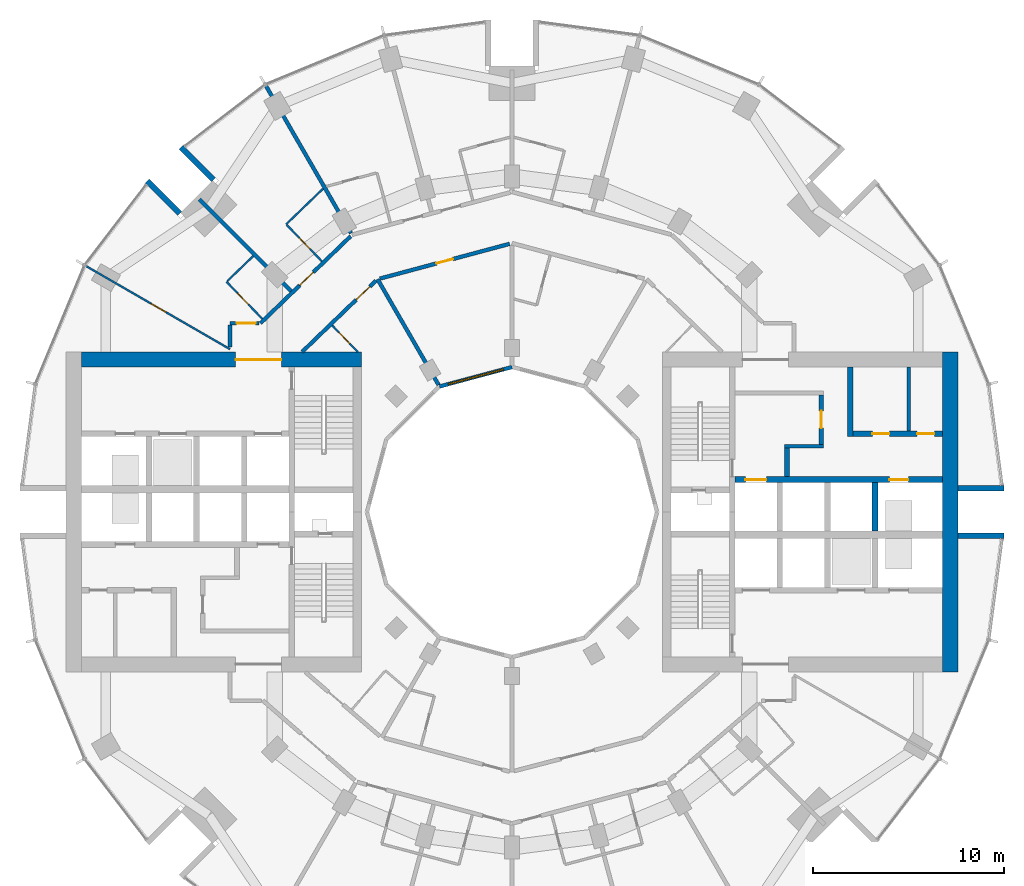
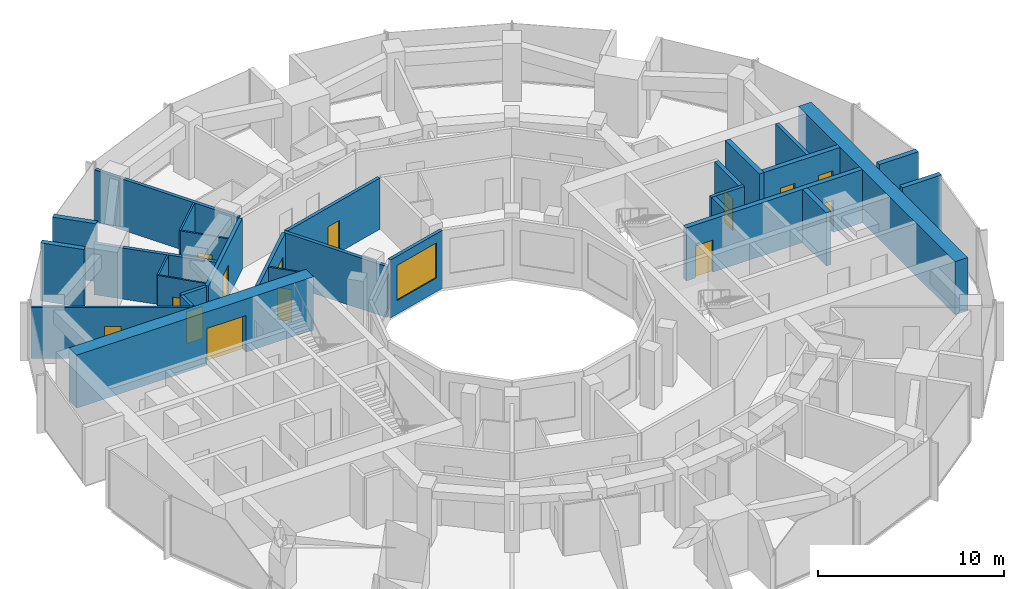
# One storey, part 11 of 15: 29 walls, 14 doors, 1 window, 15 openings.
"""IFC4 building model written with IfcOpenShell, lengths in metres."""

from ifc_helpers import new_model, si_unit, direction, frame, frame_2d, origin, place, context, subcontext, project, spatial, rectangle, extrude, material, layer, layer_set, type_object, element, fill, save


model = new_model("IFC4")

# Units and contexts
model_context = context("Model", 3, precision=1e-05, world=origin(), true_north=direction((0.0, 1.0)))
body_context = subcontext(model_context, "Body", "Model", "MODEL_VIEW")
ifc_project = project(units=[si_unit("LENGTHUNIT", "METRE"), si_unit("AREAUNIT", "SQUARE_METRE"), si_unit("VOLUMEUNIT", "CUBIC_METRE"), si_unit("PLANEANGLEUNIT", "RADIAN"), si_unit("MASSUNIT", "GRAM", prefix="KILO")], contexts=[model_context])

# Site, building, storey
site_placement = place(None, origin())
site = spatial("IfcSite", under=ifc_project, at=site_placement, CompositionType="ELEMENT")
building_placement = place(site_placement, origin())
building = spatial("IfcBuilding", under=site, at=building_placement, Name="Torre Brocal", CompositionType="ELEMENT")
storey_placement = place(building_placement, frame((0.0, 0.0, 63.0)))
storey = spatial("IfcBuildingStorey", under=building, at=storey_placement, Name="L14", CompositionType="ELEMENT", Elevation=63.0)

# Walls
ifc_material_1 = material(Name="Masonry block", Category="masonry")
ifc_layer_1 = layer(ifc_material_1, 0.199951171875)
ifc_layer_set_1 = layer_set([ifc_layer_1], Name="Masonry block")
wall_type_1 = type_object("IfcWallType", Name="CORE PARTITION 200", PredefinedType="PARTITIONING", material=ifc_layer_set_1)
wall_1_placement = place(storey_placement, frame((100.81396484375, 79.25, 0.0), z_axis=(0.0, 0.0, 1.0), x_axis=(0.0, 1.0, 0.0)))
element("IfcWall", 1, at=wall_1_placement, inside=storey, type_object=wall_type_1, Name="Wall CP200", PredefinedType="PARTITIONING", context=body_context, shape_type="SweptSolid", body=[
    extrude(rectangle(XDim=3.35009765625, YDim=0.199951171875, at=frame_2d((1.675048828125, 0.0))), origin(), (0.0, 0.0, 1.0), 3.47998046875),
])
ifc_material_2 = material(Name="Concrete C80", Category="concrete")
ifc_layer_2 = layer(ifc_material_2, 0.199951171875)
ifc_layer_set_2 = layer_set([ifc_layer_2], Name="Concrete C80")
wall_type_2 = type_object("IfcWallType", Name="CORE WALL 200 C80", PredefinedType="SHEAR", material=ifc_layer_set_2)
wall_2_placement = place(storey_placement, frame((94.300048828125, 78.449951171875, 0.0), z_axis=(0.0, 0.0, 1.0), x_axis=(1.0, 0.0, 0.0)))
element("IfcWall", 2, at=wall_2_placement, inside=storey, type_object=wall_type_2, Name="Wall CW200-80", PredefinedType="SHEAR", context=body_context, shape_type="SweptSolid", body=[
    extrude(rectangle(XDim=2.050048828125, YDim=0.199951171875, at=frame_2d((1.02490234375, 0.0))), origin(), (0.0, 0.0, 1.0), 3.47998046875),
])

# Wall, opening, door
ifc_material_3 = material(Name="Concrete C80", Category="concrete")
ifc_layer_3 = layer(ifc_material_3, 0.25)
ifc_layer_set_3 = layer_set([ifc_layer_3], Name="Concrete C80")
wall_type_3 = type_object("IfcWallType", Name="CORE WALL 250 C80", PredefinedType="SHEAR", material=ifc_layer_set_3)
wall_3_placement = place(storey_placement, frame((96.22509765625, 78.550048828125, 0.0), z_axis=(0.0, 0.0, 1.0), x_axis=(0.0, 1.0, 0.0)))
wall_3 = element("IfcWall", 3, at=wall_3_placement, inside=storey, type_object=wall_type_3, Name="Wall CW250-80", PredefinedType="SHEAR", context=body_context, shape_type="SweptSolid", body=[
    extrude(rectangle(XDim=2.599853515625, YDim=0.25, at=frame_2d((1.2998046875, 0.0))), origin(), (0.0, 0.0, 1.0), 3.47998046875),
])
opening_1_placement = place(wall_3_placement, frame((0.85009765625, 0.0, 0.0)))
opening_1 = element("IfcOpeningElement", 4, at=opening_1_placement, cuts=wall_3, Name="Opening E-D15", PredefinedType="OPENING", context=body_context, shape_type="SweptSolid", body=[
    extrude(rectangle(XDim=0.89990234375, YDim=2.10009765625, at=frame_2d((0.449951171875, 1.050048828125))), frame((0.0, 0.135009765625, 0.0), z_axis=(0.0, -1.0, 0.0), x_axis=(1.0, 0.0, 0.0)), (0.0, 0.0, 1.0), 0.27001953125),
])
ifc_material_4 = material(Name="Steel A653", Category="steel")
door_type_1 = type_object("IfcDoorType", Name="LOBBY DOOR FD120 900X2100", OperationType="SINGLE_SWING_RIGHT", PredefinedType="DOOR", material=ifc_material_4)
door_1_placement = place(opening_1_placement, origin())
door_1 = element("IfcDoor", 5, at=door_1_placement, inside=storey, type_object=door_type_1, Name="Door E-D15", OperationType="SINGLE_SWING_LEFT", OverallHeight=2.10009765625, OverallWidth=0.89990234375, PredefinedType="DOOR", context=body_context, shape_type="SweptSolid", body=[
    extrude(rectangle(XDim=0.89990234375, YDim=2.10009765625, at=frame_2d((0.449951171875, 1.050048828125))), frame((0.0, 0.02490234375, 0.0), z_axis=(0.0, -1.0, 0.0), x_axis=(1.0, 0.0, 0.0)), (0.0, 0.0, 1.0), 0.050048828125),
])
fill(opening_1, door_1)

# Wall
wall_4_placement = place(storey_placement, frame((94.425048828125, 76.85009765625, 0.0), z_axis=(0.0, 0.0, 1.0), x_axis=(0.0, 1.0, 0.0)))
element("IfcWall", 6, at=wall_4_placement, inside=storey, type_object=wall_type_3, Name="Wall CW250-80", PredefinedType="SHEAR", context=body_context, shape_type="SweptSolid", body=[
    extrude(rectangle(XDim=1.5, YDim=0.25, at=frame_2d((0.75, 0.0))), origin(), (0.0, 0.0, 1.0), 3.47998046875),
])

# Wall, openings, doors
ifc_material_5 = material(Name="Concrete C80", Category="concrete")
ifc_layer_4 = layer(ifc_material_5, 0.300048828125)
ifc_layer_set_4 = layer_set([ifc_layer_4], Name="Concrete C80")
wall_type_4 = type_object("IfcWallType", Name="CORE WALL 300 C80", PredefinedType="SHEAR", material=ifc_layer_set_4)
wall_5_placement = place(storey_placement, frame((91.699951171875, 76.699951171875, 0.0), z_axis=(0.0, 0.0, 1.0), x_axis=(1.0, 0.0, 0.0)))
wall_5 = element("IfcWall", 7, at=wall_5_placement, inside=storey, type_object=wall_type_4, Name="Wall CW300-80", PredefinedType="SHEAR", context=body_context, shape_type="SweptSolid", body=[
    extrude(rectangle(XDim=10.900146484375, YDim=0.300048828125, at=frame_2d((5.4501953125, 0.0))), origin(), (0.0, 0.0, 1.0), 3.47998046875),
])
opening_2_placement = place(wall_5_placement, frame((0.550048828125, 0.0, 0.0)))
opening_2 = element("IfcOpeningElement", 8, at=opening_2_placement, cuts=wall_5, Name="Opening LD", PredefinedType="OPENING", context=body_context, shape_type="SweptSolid", body=[
    extrude(rectangle(XDim=1.10009765625, YDim=2.10009765625, at=frame_2d((0.550048828125, 1.050048828125))), frame((0.0, 0.159912109375, 0.0), z_axis=(0.0, -1.0, 0.0), x_axis=(1.0, 0.0, 0.0)), (0.0, 0.0, 1.0), 0.320068359375),
])
opening_3_placement = place(wall_5_placement, frame((8.10009765625, 0.0, 0.0)))
opening_3 = element("IfcOpeningElement", 9, at=opening_3_placement, cuts=wall_5, Name="Opening LD10", PredefinedType="OPENING", context=body_context, shape_type="SweptSolid", body=[
    extrude(rectangle(XDim=1.0, YDim=2.10009765625, at=frame_2d((0.5, 1.050048828125))), frame((0.0, 0.159912109375, 0.0), z_axis=(0.0, -1.0, 0.0), x_axis=(1.0, 0.0, 0.0)), (0.0, 0.0, 1.0), 0.320068359375),
])
ifc_material_6 = material(Name="Stainless steel AISI 316", Category="steel")
door_type_2 = type_object("IfcDoorType", Name="LIFT LANDING DOOR 1000X2100", OperationType="DOUBLE_DOOR_SLIDING", PredefinedType="DOOR", material=ifc_material_6)
door_2_placement = place(opening_3_placement, origin())
door_2 = element("IfcDoor", 10, at=door_2_placement, inside=storey, type_object=door_type_2, Name="Door LD10", OperationType="DOUBLE_DOOR_SLIDING", OverallHeight=2.10009765625, OverallWidth=1.0, PredefinedType="DOOR", context=body_context, shape_type="SweptSolid", body=[
    extrude(rectangle(XDim=1.0, YDim=2.10009765625, at=frame_2d((0.5, 1.050048828125))), frame((0.0, 0.02490234375, 0.0), z_axis=(0.0, -1.0, 0.0), x_axis=(1.0, 0.0, 0.0)), (0.0, 0.0, 1.0), 0.050048828125),
])
fill(opening_3, door_2)
ifc_material_7 = material(Name="Stainless steel AISI 316", Category="steel")
door_type_3 = type_object("IfcDoorType", Name="LIFT LANDING DOOR 1100X2100", OperationType="DOUBLE_DOOR_SLIDING", PredefinedType="DOOR", material=ifc_material_7)
door_3_placement = place(opening_2_placement, origin())
door_3 = element("IfcDoor", 11, at=door_3_placement, inside=storey, type_object=door_type_3, Name="Door LD", OperationType="DOUBLE_DOOR_SLIDING", OverallHeight=2.10009765625, OverallWidth=1.10009765625, PredefinedType="DOOR", context=body_context, shape_type="SweptSolid", body=[
    extrude(rectangle(XDim=1.10009765625, YDim=2.10009765625, at=frame_2d((0.550048828125, 1.050048828125))), frame((0.0, 0.02490234375, 0.0), z_axis=(0.0, -1.0, 0.0), x_axis=(1.0, 0.0, 0.0)), (0.0, 0.0, 1.0), 0.050048828125),
])
fill(opening_2, door_3)

# Walls
wall_6_placement = place(storey_placement, frame((99.050048828125, 74.0, 0.0), z_axis=(0.0, 0.0, 1.0), x_axis=(0.0, 1.0, 0.0)))
element("IfcWall", 12, at=wall_6_placement, inside=storey, type_object=wall_type_4, Name="Wall CW300-80", PredefinedType="SHEAR", context=body_context, shape_type="SweptSolid", body=[
    extrude(rectangle(XDim=2.550048828125, YDim=0.300048828125, at=frame_2d((1.27490234375, 0.0))), origin(), (0.0, 0.0, 1.0), 3.47998046875),
])
wall_7_placement = place(storey_placement, frame((97.75, 78.949951171875, 0.0), z_axis=(0.0, 0.0, 1.0), x_axis=(0.0, 1.0, 0.0)))
element("IfcWall", 13, at=wall_7_placement, inside=storey, type_object=wall_type_4, Name="Wall CW300-80", PredefinedType="SHEAR", context=body_context, shape_type="SweptSolid", body=[
    extrude(rectangle(XDim=3.650146484375, YDim=0.300048828125, at=frame_2d((1.8251953125, 0.0))), origin(), (0.0, 0.0, 1.0), 3.47998046875),
])

# Wall, openings, doors
wall_8_placement = place(storey_placement, frame((97.89990234375, 79.10009765625, 0.0), z_axis=(0.0, 0.0, 1.0), x_axis=(1.0, 0.0, 0.0)))
wall_8 = element("IfcWall", 14, at=wall_8_placement, inside=storey, type_object=wall_type_4, Name="Wall CW300-80", PredefinedType="SHEAR", context=body_context, shape_type="SweptSolid", body=[
    extrude(rectangle(XDim=4.7001953125, YDim=0.300048828125, at=frame_2d((2.35009765625, 0.0))), origin(), (0.0, 0.0, 1.0), 3.47998046875),
])
opening_4_placement = place(wall_8_placement, frame((1.007080078125, 0.0, 0.0)))
opening_4 = element("IfcOpeningElement", 15, at=opening_4_placement, cuts=wall_8, Name="Opening E-D05", PredefinedType="OPENING", context=body_context, shape_type="SweptSolid", body=[
    extrude(rectangle(XDim=0.89990234375, YDim=2.10009765625, at=frame_2d((0.449951171875, 1.050048828125))), frame((0.0, 0.159912109375, 0.0), z_axis=(0.0, -1.0, 0.0), x_axis=(1.0, 0.0, 0.0)), (0.0, 0.0, 1.0), 0.320068359375),
])
opening_5_placement = place(wall_8_placement, frame((3.35693359375, 0.0, 0.0)))
opening_5 = element("IfcOpeningElement", 16, at=opening_5_placement, cuts=wall_8, Name="Opening E-D06", PredefinedType="OPENING", context=body_context, shape_type="SweptSolid", body=[
    extrude(rectangle(XDim=0.89990234375, YDim=2.10009765625, at=frame_2d((0.449951171875, 1.050048828125))), frame((0.0, 0.159912109375, 0.0), z_axis=(0.0, -1.0, 0.0), x_axis=(1.0, 0.0, 0.0)), (0.0, 0.0, 1.0), 0.320068359375),
])
ifc_material_8 = material(Name="Steel A653", Category="steel")
door_type_4 = type_object("IfcDoorType", Name="ROOM DOOR FD30S 900X2100", OperationType="SINGLE_SWING_LEFT", PredefinedType="DOOR", material=ifc_material_8)
door_4_placement = place(opening_4_placement, origin())
door_4 = element("IfcDoor", 17, at=door_4_placement, inside=storey, type_object=door_type_4, Name="Door E-D05", OperationType="SINGLE_SWING_RIGHT", OverallHeight=2.10009765625, OverallWidth=0.89990234375, PredefinedType="DOOR", context=body_context, shape_type="SweptSolid", body=[
    extrude(rectangle(XDim=0.89990234375, YDim=2.10009765625, at=frame_2d((0.449951171875, 1.050048828125))), frame((0.0, 0.02490234375, 0.0), z_axis=(0.0, -1.0, 0.0), x_axis=(1.0, 0.0, 0.0)), (0.0, 0.0, 1.0), 0.050048828125),
])
fill(opening_4, door_4)
door_5_placement = place(opening_5_placement, origin())
door_5 = element("IfcDoor", 18, at=door_5_placement, inside=storey, type_object=door_type_4, Name="Door E-D06", OperationType="SINGLE_SWING_LEFT", OverallHeight=2.10009765625, OverallWidth=0.89990234375, PredefinedType="DOOR", context=body_context, shape_type="SweptSolid", body=[
    extrude(rectangle(XDim=0.89990234375, YDim=2.10009765625, at=frame_2d((0.449951171875, 1.050048828125))), frame((0.0, 0.02490234375, 0.0), z_axis=(0.0, -1.0, 0.0), x_axis=(1.0, 0.0, 0.0)), (0.0, 0.0, 1.0), 0.050048828125),
])
fill(opening_5, door_5)

# Wall
ifc_material_9 = material(Name="Concrete C80", Category="concrete")
ifc_layer_5 = layer(ifc_material_9, 0.800048828125)
ifc_layer_set_5 = layer_set([ifc_layer_5], Name="Concrete C80")
wall_type_5 = type_object("IfcWallType", Name="CORE WALL 800 C80", PredefinedType="SHEAR", material=ifc_layer_set_5)
wall_9_placement = place(storey_placement, frame((103.0, 66.60009765625, 0.0), z_axis=(0.0, 0.0, 1.0), x_axis=(0.0, 1.0, 0.0)))
element("IfcWall", 19, at=wall_9_placement, inside=storey, type_object=wall_type_5, Name="Wall CW800-80", PredefinedType="SHEAR", context=body_context, shape_type="SweptSolid", body=[
    extrude(rectangle(XDim=16.7998046875, YDim=0.800048828125, at=frame_2d((8.39990234375, 0.0))), origin(), (0.0, 0.0, 1.0), 3.47998046875),
])

# Wall, opening, door
wall_10_placement = place(storey_placement, frame((72.10009765625, 83.0, 0.0), z_axis=(0.0, 0.0, 1.0), x_axis=(-1.0, 0.0, 0.0)))
wall_10 = element("IfcWall", 20, at=wall_10_placement, inside=storey, type_object=wall_type_5, Name="Wall CW800-80", PredefinedType="SHEAR", context=body_context, shape_type="SweptSolid", body=[
    extrude(rectangle(XDim=14.7001953125, YDim=0.800048828125, at=frame_2d((7.35009765625, 0.0))), origin(), (0.0, 0.0, 1.0), 3.47998046875),
])
opening_6_placement = place(wall_10_placement, frame((4.199951171875, 0.0, 0.0)))
opening_6 = element("IfcOpeningElement", 21, at=opening_6_placement, cuts=wall_10, Name="Opening W-D27", PredefinedType="OPENING", context=body_context, shape_type="SweptSolid", body=[
    extrude(rectangle(XDim=2.39990234375, YDim=2.39990234375, at=frame_2d((1.199951171875, 1.199951171875))), frame((0.0, 0.409912109375, 0.0), z_axis=(0.0, -1.0, 0.0), x_axis=(1.0, 0.0, 0.0)), (0.0, 0.0, 1.0), 0.820068359375),
])
ifc_material_10 = material(Name="Steel A653", Category="steel")
door_type_5 = type_object("IfcDoorType", Name="DOUBLE FIRE DOOR FD90 2400X2400", OperationType="DOUBLE_DOOR_SINGLE_SWING", PredefinedType="DOOR", material=ifc_material_10)
door_6_placement = place(opening_6_placement, origin())
door_6 = element("IfcDoor", 22, at=door_6_placement, inside=storey, type_object=door_type_5, Name="Door W-D27", OperationType="DOUBLE_DOOR_SINGLE_SWING", OverallHeight=2.39990234375, OverallWidth=2.39990234375, PredefinedType="DOOR", context=body_context, shape_type="SweptSolid", body=[
    extrude(rectangle(XDim=2.39990234375, YDim=2.39990234375, at=frame_2d((1.199951171875, 1.199951171875))), frame((0.0, 0.02490234375, 0.0), z_axis=(0.0, -1.0, 0.0), x_axis=(1.0, 0.0, 0.0)), (0.0, 0.0, 1.0), 0.050048828125),
])
fill(opening_6, door_6)

# Walls
ifc_material_11 = material(Name="Concrete C80", Category="concrete")
ifc_layer_6 = layer(ifc_material_11, 0.300048828125)
ifc_layer_set_6 = layer_set([ifc_layer_6], Name="Concrete C80")
wall_type_6 = type_object("IfcWallType", Name="NOTCH RETURN WALL 300 C80", PredefinedType="NOTDEFINED", material=ifc_layer_set_6)
for number, where, z_axis, x_axis, name in (
    (23, (103.39990234375, 73.75, 0.0), (0.0, 0.0, 1.0), (1.0, 0.0, 0.0), "NOTCH RETURN WALL"),
    (24, (103.39990234375, 76.25, 0.0), (0.0, 0.0, 1.0), (1.0, 0.0, 0.0), "NOTCH RETURN WALL"),
    (25, (64.337646484375, 92.43017578125, 0.0), (0.0, 0.0, 1.0), (-0.707106781187, 0.707106781187, 0.0), "NOTCH RETURN WALL"),
    (26, (62.56982421875, 90.662353515625, 0.0), (0.0, 0.0, 1.0), (-0.707106781187, 0.707106781187, 0.0), "NOTCH RETURN WALL"),
):
    element("IfcWall", number, at=place(storey_placement, frame(where, z_axis=z_axis, x_axis=x_axis)), inside=storey, type_object=wall_type_6, Name=name, PredefinedType="NOTDEFINED", context=body_context, shape_type="SweptSolid", body=[
        extrude(rectangle(XDim=2.415771484375, YDim=0.300048828125, at=frame_2d((1.2080078125, 0.0))), origin(), (0.0, 0.0, 1.0), 3.800048828125),
    ])

# Wall, opening, door
ifc_material_12 = material(Name="Gypsum board", Category="Gypsum")
ifc_layer_7 = layer(ifc_material_12, 0.10009765625)
ifc_layer_set_7 = layer_set([ifc_layer_7], Name="Gypsum board")
wall_type_7 = type_object("IfcWallType", Name="PARTITION 100", PredefinedType="PARTITIONING", material=ifc_layer_set_7)
wall_11_placement = place(storey_placement, frame((57.65869140625, 87.89892578125, 0.0), z_axis=(0.0, 0.0, 1.0), x_axis=(0.86602264145, -0.500004784474, 0.0)))
wall_11 = element("IfcWall", 27, at=wall_11_placement, inside=storey, type_object=wall_type_7, Name="ROOM PARTITION", PredefinedType="PARTITIONING", context=body_context, shape_type="SweptSolid", body=[
    extrude(rectangle(XDim=8.7080078125, YDim=0.10009765625, at=frame_2d((4.35400390625, 0.0))), origin(), (0.0, 0.0, 1.0), 3.35009765625),
])
opening_7_placement = place(wall_11_placement, frame((3.928955078125, 0.0, 0.0)))
opening_7 = element("IfcOpeningElement", 28, at=opening_7_placement, cuts=wall_11, Name="Opening H04-D12", PredefinedType="OPENING", context=body_context, shape_type="SweptSolid", body=[
    extrude(rectangle(XDim=0.89990234375, YDim=2.10009765625, at=frame_2d((0.449951171875, 1.050048828125))), frame((0.0, 0.06005859375, 0.0), z_axis=(0.0, -1.0, 0.0), x_axis=(1.0, 0.0, 0.0)), (0.0, 0.0, 1.0), 0.1201171875),
])
ifc_material_13 = material(Name="Timber", Category="wood")
door_type_6 = type_object("IfcDoorType", Name="ROOM DOOR 900X2100", OperationType="SINGLE_SWING_LEFT", PredefinedType="DOOR", material=ifc_material_13)
door_7_placement = place(opening_7_placement, frame((0.89990234375, 0.0, 0.0), z_axis=(0.0, 0.0, 1.0), x_axis=(-1.0, 0.0, 0.0)))
door_7 = element("IfcDoor", 29, at=door_7_placement, inside=storey, type_object=door_type_6, Name="H04-D12", OperationType="SINGLE_SWING_LEFT", OverallHeight=2.10009765625, OverallWidth=0.89990234375, PredefinedType="DOOR", context=body_context, shape_type="SweptSolid", body=[
    extrude(rectangle(XDim=0.89990234375, YDim=2.10009765625, at=frame_2d((0.449951171875, 1.050048828125))), frame((0.0, 0.02490234375, 0.0), z_axis=(0.0, -1.0, 0.0), x_axis=(1.0, 0.0, 0.0)), (0.0, 0.0, 1.0), 0.050048828125),
])
fill(opening_7, door_7)

# Wall
wall_12_placement = place(storey_placement, frame((65.058837890625, 87.11376953125, 0.0), z_axis=(0.0, 0.0, 1.0), x_axis=(0.719715847356, 0.694268751324, 0.0)))
element("IfcWall", 30, at=wall_12_placement, inside=storey, type_object=wall_type_7, Name="BATHROOM WALL", PredefinedType="PARTITIONING", context=body_context, shape_type="SweptSolid", body=[
    extrude(rectangle(XDim=1.899658203125, YDim=0.10009765625, at=frame_2d((0.94970703125, 0.0))), origin(), (0.0, 0.0, 1.0), 3.35009765625),
])

# Wall, opening, door
wall_13_placement = place(storey_placement, frame((65.02294921875, 87.0791015625, 0.0), z_axis=(0.0, 0.0, 1.0), x_axis=(0.694287838235, -0.719697434815, 0.0)))
wall_13 = element("IfcWall", 31, at=wall_13_placement, inside=storey, type_object=wall_type_7, Name="BATHROOM WALL", PredefinedType="PARTITIONING", context=body_context, shape_type="SweptSolid", body=[
    extrude(rectangle(XDim=2.699951171875, YDim=0.10009765625, at=frame_2d((1.35009765625, 0.0))), origin(), (0.0, 0.0, 1.0), 3.35009765625),
])
opening_8_placement = place(wall_13_placement, frame((0.849853515625, 0.0, 0.0)))
opening_8 = element("IfcOpeningElement", 32, at=opening_8_placement, cuts=wall_13, Name="Opening H04-D11", PredefinedType="OPENING", context=body_context, shape_type="SweptSolid", body=[
    extrude(rectangle(XDim=0.800048828125, YDim=2.10009765625, at=frame_2d((0.39990234375, 1.050048828125))), frame((0.0, 0.06005859375, 0.0), z_axis=(0.0, -1.0, 0.0), x_axis=(1.0, 0.0, 0.0)), (0.0, 0.0, 1.0), 0.1201171875),
])
ifc_material_14 = material(Name="Timber", Category="wood")
door_type_7 = type_object("IfcDoorType", Name="BATHROOM DOOR 800X2100", OperationType="SINGLE_SWING_LEFT", PredefinedType="DOOR", material=ifc_material_14)
door_8_placement = place(opening_8_placement, origin())
door_8 = element("IfcDoor", 33, at=door_8_placement, inside=storey, type_object=door_type_7, Name="H04-D11", OperationType="SINGLE_SWING_LEFT", OverallHeight=2.10009765625, OverallWidth=0.800048828125, PredefinedType="DOOR", context=body_context, shape_type="SweptSolid", body=[
    extrude(rectangle(XDim=0.800048828125, YDim=2.10009765625, at=frame_2d((0.39990234375, 1.050048828125))), frame((0.0, 0.02490234375, 0.0), z_axis=(0.0, -1.0, 0.0), x_axis=(1.0, 0.0, 0.0)), (0.0, 0.0, 1.0), 0.050048828125),
])
fill(opening_8, door_8)

wall_14_placement = place(storey_placement, frame((68.184814453125, 90.06005859375, 0.0), z_axis=(0.0, 0.0, 1.0), x_axis=(0.69446127412, -0.719530081892, 0.0)))
wall_14 = element("IfcWall", 34, at=wall_14_placement, inside=storey, type_object=wall_type_7, Name="BATHROOM WALL", PredefinedType="PARTITIONING", context=body_context, shape_type="SweptSolid", body=[
    extrude(rectangle(XDim=2.64892578125, YDim=0.10009765625, at=frame_2d((1.324462890625, 0.0))), origin(), (0.0, 0.0, 1.0), 3.35009765625),
])
opening_9_placement = place(wall_14_placement, frame((0.94970703125, 0.0, 0.0)))
opening_9 = element("IfcOpeningElement", 35, at=opening_9_placement, cuts=wall_14, Name="Opening H04-D09", PredefinedType="OPENING", context=body_context, shape_type="SweptSolid", body=[
    extrude(rectangle(XDim=0.800048828125, YDim=2.10009765625, at=frame_2d((0.39990234375, 1.050048828125))), frame((0.0, 0.06005859375, 0.0), z_axis=(0.0, -1.0, 0.0), x_axis=(1.0, 0.0, 0.0)), (0.0, 0.0, 1.0), 0.1201171875),
])
door_9_placement = place(opening_9_placement, origin())
door_9 = element("IfcDoor", 36, at=door_9_placement, inside=storey, type_object=door_type_7, Name="H04-D09", OperationType="SINGLE_SWING_RIGHT", OverallHeight=2.10009765625, OverallWidth=0.800048828125, PredefinedType="DOOR", context=body_context, shape_type="SweptSolid", body=[
    extrude(rectangle(XDim=0.800048828125, YDim=2.10009765625, at=frame_2d((0.39990234375, 1.050048828125))), frame((0.0, 0.02490234375, 0.0), z_axis=(0.0, -1.0, 0.0), x_axis=(1.0, 0.0, 0.0)), (0.0, 0.0, 1.0), 0.050048828125),
])
fill(opening_9, door_9)

# Wall
wall_15_placement = place(storey_placement, frame((68.150146484375, 90.095947265625, 0.0), z_axis=(0.0, 0.0, 1.0), x_axis=(0.719669144226, 0.694317163009, 0.0)))
element("IfcWall", 37, at=wall_15_placement, inside=storey, type_object=wall_type_7, Name="BATHROOM WALL", PredefinedType="PARTITIONING", context=body_context, shape_type="SweptSolid", body=[
    extrude(rectangle(XDim=2.686767578125, YDim=0.10009765625, at=frame_2d((1.34326171875, 0.0))), origin(), (0.0, 0.0, 1.0), 3.35009765625),
])

# Wall, opening, door
wall_16_placement = place(storey_placement, frame((70.5673828125, 84.785888671875, 0.0), z_axis=(0.0, 0.0, 1.0), x_axis=(0.694447472534, -0.719543402368, 0.0)))
wall_16 = element("IfcWall", 38, at=wall_16_placement, inside=storey, type_object=wall_type_7, Name="BATHROOM WALL", PredefinedType="PARTITIONING", context=body_context, shape_type="SweptSolid", body=[
    extrude(rectangle(XDim=1.92626953125, YDim=0.10009765625, at=frame_2d((0.963134765625, 0.0))), origin(), (0.0, 0.0, 1.0), 3.35009765625),
])
opening_10_placement = place(wall_16_placement, frame((0.51318359375, 0.0, 0.0)))
opening_10 = element("IfcOpeningElement", 39, at=opening_10_placement, cuts=wall_16, Name="Opening H04-D19", PredefinedType="OPENING", context=body_context, shape_type="SweptSolid", body=[
    extrude(rectangle(XDim=0.800048828125, YDim=2.10009765625, at=frame_2d((0.39990234375, 1.050048828125))), frame((0.0, 0.06005859375, 0.0), z_axis=(0.0, -1.0, 0.0), x_axis=(1.0, 0.0, 0.0)), (0.0, 0.0, 1.0), 0.1201171875),
])
door_10_placement = place(opening_10_placement, frame((0.800048828125, 0.0, 0.0), z_axis=(0.0, 0.0, 1.0), x_axis=(-1.0, 0.0, 0.0)))
door_10 = element("IfcDoor", 40, at=door_10_placement, inside=storey, type_object=door_type_7, Name="H04-D19", OperationType="SINGLE_SWING_RIGHT", OverallHeight=2.10009765625, OverallWidth=0.800048828125, PredefinedType="DOOR", context=body_context, shape_type="SweptSolid", body=[
    extrude(rectangle(XDim=0.800048828125, YDim=2.10009765625, at=frame_2d((0.39990234375, 1.050048828125))), frame((0.0, 0.02490234375, 0.0), z_axis=(0.0, -1.0, 0.0), x_axis=(1.0, 0.0, 0.0)), (0.0, 0.0, 1.0), 0.050048828125),
])
fill(opening_10, door_10)

# Walls
ifc_material_15 = material(Name="Gypsum board", Category="Gypsum")
ifc_layer_8 = layer(ifc_material_15, 0.199951171875)
ifc_layer_set_8 = layer_set([ifc_layer_8], Name="Gypsum board")
wall_type_8 = type_object("IfcWallType", Name="PARTITION 200 EI60", PredefinedType="PARTITIONING", material=ifc_layer_set_8)
wall_17_placement = place(storey_placement, frame((63.59765625, 91.4072265625, 0.0), z_axis=(0.0, 0.0, 1.0), x_axis=(0.706981202484, -0.707232337591, 0.0)))
element("IfcWall", 41, at=wall_17_placement, inside=storey, type_object=wall_type_8, Name="BATHROOM WALL", PredefinedType="PARTITIONING", context=body_context, shape_type="SweptSolid", body=[
    extrude(rectangle(XDim=6.804931640625, YDim=0.199951171875, at=frame_2d((3.40234375, 0.0))), origin(), (0.0, 0.0, 1.0), 3.35009765625),
])
wall_18_placement = place(storey_placement, frame((65.199951171875, 83.64990234375, 0.0), z_axis=(0.0, 0.0, 1.0), x_axis=(0.0, 1.0, 0.0)))
element("IfcWall", 42, at=wall_18_placement, inside=storey, type_object=wall_type_8, Name="GUESTROOM CORRIDOR WALL", PredefinedType="PARTITIONING", context=body_context, shape_type="SweptSolid", body=[
    extrude(rectangle(XDim=1.150146484375, YDim=0.199951171875, at=frame_2d((0.5751953125, 0.0))), origin(), (0.0, 0.0, 1.0), 3.35009765625),
])

# Wall, opening, door
wall_19_placement = place(storey_placement, frame((65.199951171875, 84.89990234375, 0.0), z_axis=(0.0, 0.0, 1.0), x_axis=(1.0, 0.0, 0.0)))
wall_19 = element("IfcWall", 43, at=wall_19_placement, inside=storey, type_object=wall_type_8, Name="GUESTROOM CORRIDOR WALL", PredefinedType="PARTITIONING", context=body_context, shape_type="SweptSolid", body=[
    extrude(rectangle(XDim=1.537109375, YDim=0.199951171875, at=frame_2d((0.7685546875, 0.0))), origin(), (0.0, 0.0, 1.0), 3.35009765625),
])
opening_11_placement = place(wall_19_placement, frame((0.346923828125, 0.0, 0.0)))
opening_11 = element("IfcOpeningElement", 44, at=opening_11_placement, cuts=wall_19, Name="Opening H04-D10", PredefinedType="OPENING", context=body_context, shape_type="SweptSolid", body=[
    extrude(rectangle(XDim=1.0, YDim=2.10009765625, at=frame_2d((0.5, 1.050048828125))), frame((0.0, 0.10986328125, 0.0), z_axis=(0.0, -1.0, 0.0), x_axis=(1.0, 0.0, 0.0)), (0.0, 0.0, 1.0), 0.219970703125),
])
ifc_material_16 = material(Name="Timber", Category="wood")
door_type_8 = type_object("IfcDoorType", Name="FLAT ENTRY DOOR FD30S 1000X2100", OperationType="SINGLE_SWING_RIGHT", PredefinedType="DOOR", material=ifc_material_16)
door_11_placement = place(opening_11_placement, origin())
door_11 = element("IfcDoor", 45, at=door_11_placement, inside=storey, type_object=door_type_8, Name="H04-D10", OperationType="SINGLE_SWING_LEFT", OverallHeight=2.10009765625, OverallWidth=1.0, PredefinedType="DOOR", context=body_context, shape_type="SweptSolid", body=[
    extrude(rectangle(XDim=1.0, YDim=2.10009765625, at=frame_2d((0.5, 1.050048828125))), frame((0.0, 0.02490234375, 0.0), z_axis=(0.0, -1.0, 0.0), x_axis=(1.0, 0.0, 0.0)), (0.0, 0.0, 1.0), 0.050048828125),
])
fill(opening_11, door_11)

wall_20_placement = place(storey_placement, frame((66.796630859375, 84.900390625, 0.0), z_axis=(0.0, 0.0, 1.0), x_axis=(0.719692092412, 0.694293376116, 0.0)))
wall_20 = element("IfcWall", 46, at=wall_20_placement, inside=storey, type_object=wall_type_8, Name="GUESTROOM CORRIDOR WALL", PredefinedType="PARTITIONING", context=body_context, shape_type="SweptSolid", body=[
    extrude(rectangle(XDim=6.58447265625, YDim=0.199951171875, at=frame_2d((3.292236328125, 0.0))), origin(), (0.0, 0.0, 1.0), 3.35009765625),
])
opening_12_placement = place(wall_20_placement, frame((2.8662109375, 0.0, 0.0)))
opening_12 = element("IfcOpeningElement", 47, at=opening_12_placement, cuts=wall_20, Name="Opening H04-D08", PredefinedType="OPENING", context=body_context, shape_type="SweptSolid", body=[
    extrude(rectangle(XDim=1.0, YDim=2.10009765625, at=frame_2d((0.5, 1.050048828125))), frame((0.0, 0.10986328125, 0.0), z_axis=(0.0, -1.0, 0.0), x_axis=(1.0, 0.0, 0.0)), (0.0, 0.0, 1.0), 0.219970703125),
])
door_12_placement = place(opening_12_placement, origin())
door_12 = element("IfcDoor", 48, at=door_12_placement, inside=storey, type_object=door_type_8, Name="H04-D08", OperationType="SINGLE_SWING_LEFT", OverallHeight=2.10009765625, OverallWidth=1.0, PredefinedType="DOOR", context=body_context, shape_type="SweptSolid", body=[
    extrude(rectangle(XDim=1.0, YDim=2.10009765625, at=frame_2d((0.5, 1.050048828125))), frame((0.0, 0.02490234375, 0.0), z_axis=(0.0, -1.0, 0.0), x_axis=(1.0, 0.0, 0.0)), (0.0, 0.0, 1.0), 0.050048828125),
])
fill(opening_12, door_12)

# Wall
wall_21_placement = place(storey_placement, frame((67.101318359375, 97.341552734375, 0.0), z_axis=(0.0, 0.0, 1.0), x_axis=(0.499932813297, -0.866064190571, 0.0)))
element("IfcWall", 49, at=wall_21_placement, inside=storey, type_object=wall_type_8, Name="BATHROOM WALL", PredefinedType="PARTITIONING", context=body_context, shape_type="SweptSolid", body=[
    extrude(rectangle(XDim=8.907958984375, YDim=0.199951171875, at=frame_2d((4.4541015625, 0.0))), origin(), (0.0, 0.0, 1.0), 3.35009765625),
])

# Wall, opening, door
wall_22_placement = place(storey_placement, frame((68.987060546875, 83.39990234375, 0.0), z_axis=(0.0, 0.0, 1.0), x_axis=(0.719591503389, 0.694397629784, 0.0)))
wall_22 = element("IfcWall", 50, at=wall_22_placement, inside=storey, type_object=wall_type_8, Name="GUESTROOM CORRIDOR WALL", PredefinedType="PARTITIONING", context=body_context, shape_type="SweptSolid", body=[
    extrude(rectangle(XDim=5.378173828125, YDim=0.199951171875, at=frame_2d((2.68896484375, 0.0))), origin(), (0.0, 0.0, 1.0), 3.35009765625),
])
opening_13_placement = place(wall_22_placement, frame((3.93798828125, 0.0, 0.0)))
opening_13 = element("IfcOpeningElement", 51, at=opening_13_placement, cuts=wall_22, Name="Opening H04-D18", PredefinedType="OPENING", context=body_context, shape_type="SweptSolid", body=[
    extrude(rectangle(XDim=1.0, YDim=2.10009765625, at=frame_2d((0.5, 1.050048828125))), frame((0.0, 0.10986328125, 0.0), z_axis=(0.0, -1.0, 0.0), x_axis=(1.0, 0.0, 0.0)), (0.0, 0.0, 1.0), 0.219970703125),
])
door_13_placement = place(opening_13_placement, frame((1.0, 0.0, 0.0), z_axis=(0.0, 0.0, 1.0), x_axis=(-1.0, 0.0, 0.0)))
door_13 = element("IfcDoor", 52, at=door_13_placement, inside=storey, type_object=door_type_8, Name="H04-D18", OperationType="SINGLE_SWING_LEFT", OverallHeight=2.10009765625, OverallWidth=1.0, PredefinedType="DOOR", context=body_context, shape_type="SweptSolid", body=[
    extrude(rectangle(XDim=1.0, YDim=2.10009765625, at=frame_2d((0.5, 1.050048828125))), frame((0.0, 0.02490234375, 0.0), z_axis=(0.0, -1.0, 0.0), x_axis=(1.0, 0.0, 0.0)), (0.0, 0.0, 1.0), 0.050048828125),
])
fill(opening_13, door_13)

wall_23_placement = place(storey_placement, frame((73.0712890625, 87.2470703125, 0.0), z_axis=(0.0, 0.0, 1.0), x_axis=(0.965914318977, 0.258861987157, 0.0)))
wall_23 = element("IfcWall", 53, at=wall_23_placement, inside=storey, type_object=wall_type_8, Name="GUESTROOM CORRIDOR WALL", PredefinedType="PARTITIONING", context=body_context, shape_type="SweptSolid", body=[
    extrude(rectangle(XDim=7.043212890625, YDim=0.199951171875, at=frame_2d((3.521484375, 0.0))), origin(), (0.0, 0.0, 1.0), 3.35009765625),
])
opening_14_placement = place(wall_23_placement, frame((3.066650390625, 0.0, 0.0)))
opening_14 = element("IfcOpeningElement", 54, at=opening_14_placement, cuts=wall_23, Name="Opening H04-D17", PredefinedType="OPENING", context=body_context, shape_type="SweptSolid", body=[
    extrude(rectangle(XDim=0.89990234375, YDim=2.10009765625, at=frame_2d((0.449951171875, 1.050048828125))), frame((0.0, 0.10986328125, 0.0), z_axis=(0.0, -1.0, 0.0), x_axis=(1.0, 0.0, 0.0)), (0.0, 0.0, 1.0), 0.219970703125),
])
door_14_placement = place(opening_14_placement, frame((0.89990234375, 0.0, 0.0), z_axis=(0.0, 0.0, 1.0), x_axis=(-1.0, 0.0, 0.0)))
door_14 = element("IfcDoor", 55, at=door_14_placement, inside=storey, type_object=door_type_6, Name="H04-D17", OperationType="SINGLE_SWING_RIGHT", OverallHeight=2.10009765625, OverallWidth=0.89990234375, PredefinedType="DOOR", context=body_context, shape_type="SweptSolid", body=[
    extrude(rectangle(XDim=0.89990234375, YDim=2.10009765625, at=frame_2d((0.449951171875, 1.050048828125))), frame((0.0, 0.02490234375, 0.0), z_axis=(0.0, -1.0, 0.0), x_axis=(1.0, 0.0, 0.0)), (0.0, 0.0, 1.0), 0.050048828125),
])
fill(opening_14, door_14)

# Wall
wall_24_placement = place(storey_placement, frame((72.94775390625, 87.2138671875, 0.0), z_axis=(0.0, 0.0, 1.0), x_axis=(0.499927021214, -0.866067534006, 0.0)))
element("IfcWall", 56, at=wall_24_placement, inside=storey, type_object=wall_type_8, Name="SERVICE ROOM WALL", PredefinedType="PARTITIONING", context=body_context, shape_type="SweptSolid", body=[
    extrude(rectangle(XDim=6.4052734375, YDim=0.199951171875, at=frame_2d((3.20263671875, 0.0))), origin(), (0.0, 0.0, 1.0), 3.35009765625),
])

# Wall, opening, window
ifc_material_17 = material(Name="Concrete C40", Category="concrete")
ifc_layer_9 = layer(ifc_material_17, 0.199951171875)
ifc_layer_set_9 = layer_set([ifc_layer_9], Name="Concrete C40")
wall_type_9 = type_object("IfcWallType", Name="WELL FACADE WALL 200", PredefinedType="NOTDEFINED", material=ifc_layer_set_9)
wall_25_placement = place(storey_placement, frame((80.0, 82.603515625, 0.0), z_axis=(0.0, 0.0, 1.0), x_axis=(-0.965933654434, -0.258789828301, 0.0)))
wall_25 = element("IfcWall", 57, at=wall_25_placement, inside=storey, type_object=wall_type_9, Name="WELL FACADE WALL", PredefinedType="NOTDEFINED", context=body_context, shape_type="SweptSolid", body=[
    extrude(rectangle(XDim=3.935791015625, YDim=0.199951171875, at=frame_2d((1.9677734375, 0.0))), origin(), (0.0, 0.0, 1.0), 3.800048828125),
])
opening_15_placement = place(wall_25_placement, frame((0.468017578125, 0.0, 0.89990234375)))
opening_15 = element("IfcOpeningElement", 58, at=opening_15_placement, cuts=wall_25, Name="Opening W1", PredefinedType="OPENING", context=body_context, shape_type="SweptSolid", body=[
    extrude(rectangle(XDim=3.0, YDim=2.300048828125, at=frame_2d((1.5, 1.14990234375))), frame((0.0, 0.10986328125, 0.0), z_axis=(0.0, -1.0, 0.0), x_axis=(1.0, 0.0, 0.0)), (0.0, 0.0, 1.0), 0.219970703125),
])
ifc_material_18 = material(Name="Aluminium and glass", Category="aluminium")
window_type = type_object("IfcWindowType", Name="WELL WINDOW 3000X2300", PartitioningType="SINGLE_PANEL", PredefinedType="WINDOW", material=ifc_material_18)
window_placement = place(opening_15_placement, origin())
window = element("IfcWindow", 59, at=window_placement, inside=storey, type_object=window_type, Name="WELL WINDOW 3000X2300", OverallHeight=2.300048828125, OverallWidth=3.0, PartitioningType="SINGLE_PANEL", PredefinedType="WINDOW", context=body_context, shape_type="SweptSolid", body=[
    extrude(rectangle(XDim=3.0, YDim=2.300048828125, at=frame_2d((1.5, 1.14990234375))), frame((0.0, 0.030029296875, 0.0), z_axis=(0.0, -1.0, 0.0), x_axis=(1.0, 0.0, 0.0)), (0.0, 0.0, 1.0), 0.06005859375),
])
fill(opening_15, window)

save(model, "model.ifc")
